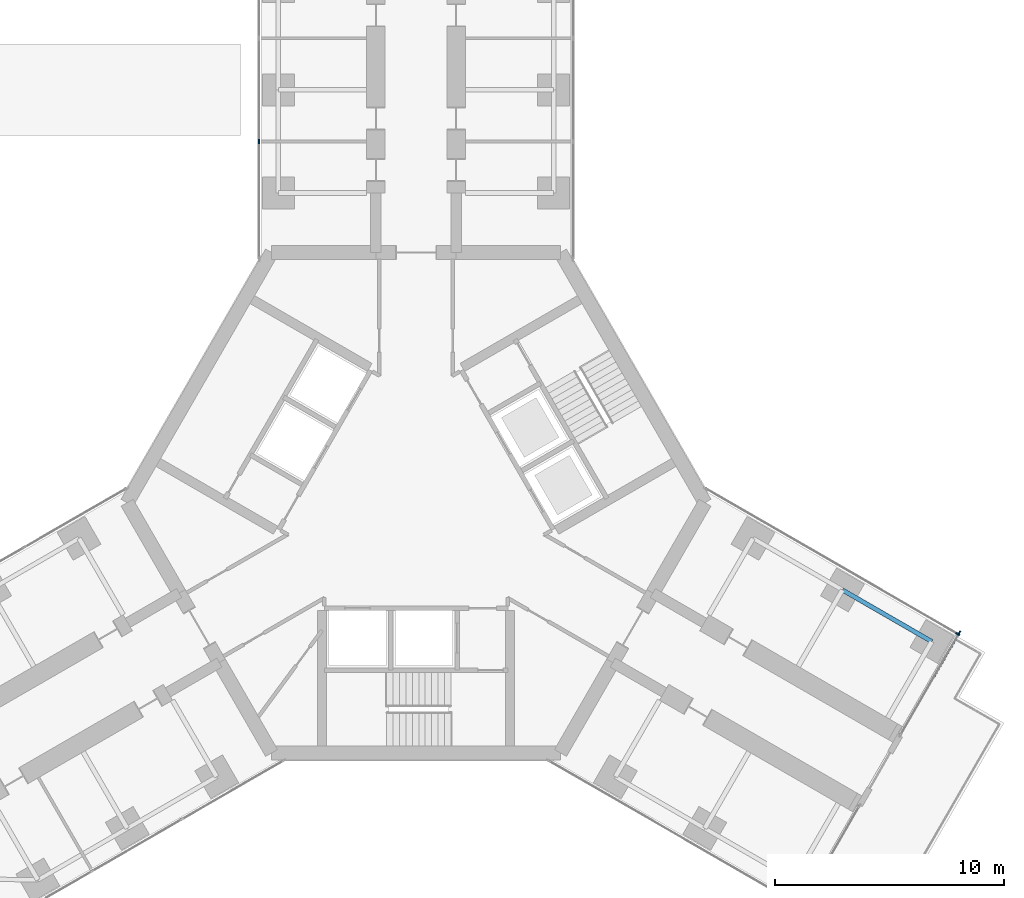
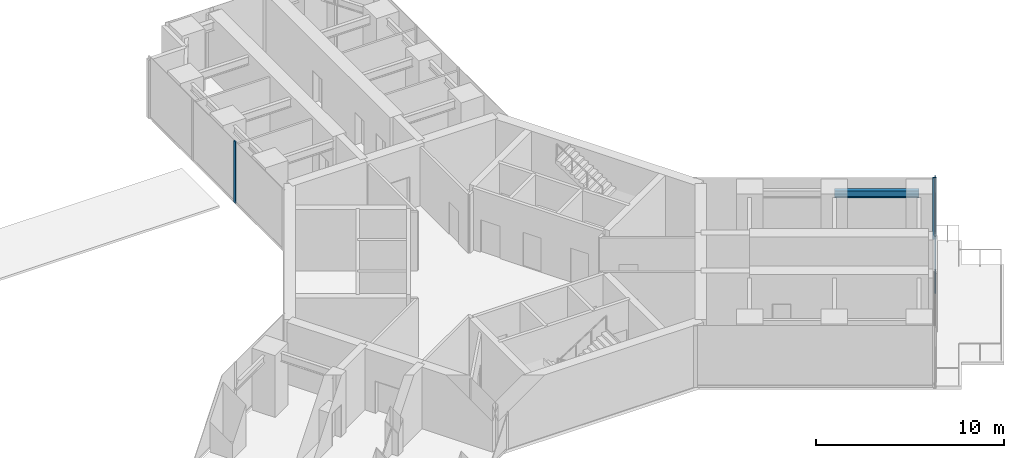
# One storey, part 11 of 22: 4 members, 1 beam, 3 elements without a shape of their own.
"""IFC4 building model written with IfcOpenShell, lengths in metres."""

from ifc_helpers import new_model, si_unit, direction, frame, origin, origin_2d, place, context, subcontext, project, spatial, rectangle, i_section, extrude, material, material_profile, profile_set, type_object, element, aggregate, save


model = new_model("IFC4")

# Units and contexts
model_context = context("Model", 3, precision=1e-05, world=origin(), true_north=direction((0.0, 1.0)))
body_context = subcontext(model_context, "Body", "Model", "MODEL_VIEW")
ifc_project = project(units=[si_unit("LENGTHUNIT", "METRE"), si_unit("AREAUNIT", "SQUARE_METRE"), si_unit("VOLUMEUNIT", "CUBIC_METRE"), si_unit("PLANEANGLEUNIT", "RADIAN"), si_unit("MASSUNIT", "GRAM", prefix="KILO")], contexts=[model_context])

# Site, building, storey
site_placement = place(None, origin())
site = spatial("IfcSite", under=ifc_project, at=site_placement, CompositionType="ELEMENT")
building_placement = place(site_placement, origin())
building = spatial("IfcBuilding", under=site, at=building_placement, Name="Upepo Twin Towers", CompositionType="ELEMENT")
storey_placement = place(building_placement, frame((0.0, 0.0, 97.5)))
storey = spatial("IfcBuildingStorey", under=building, at=storey_placement, Name="L23", CompositionType="ELEMENT", Elevation=97.5)

# Beam
ifc_material_1 = material(Name="Steel S355", Category="steel")
ifc_material_profile_1 = material_profile(ifc_material_1, i_section(OverallWidth=0.1904296875, OverallDepth=0.45703125, WebThickness=0.009033203125, FlangeThickness=0.014404296875, FilletRadius=0.01025390625, at=origin_2d()), Name="UB 457x191x74")
ifc_profile_set_1 = profile_set([ifc_material_profile_1], Name="Steel S355")
beam_type = type_object("IfcBeamType", Name="Beam UB 457x191x74", PredefinedType="BEAM", material=ifc_profile_set_1)
beam_placement = place(storey_placement, frame((77.08837890625, -21.803955078125, 3.571533203125), z_axis=(0.866031096941, -0.499990139034, 0.0), x_axis=(0.499990139034, 0.866031096941, 0.0)))
element("IfcBeam", 1, at=beam_placement, inside=storey, type_object=beam_type, Name="T2 edge beam CL 18.0-22.5", PredefinedType="BEAM", context=body_context, shape_type="SweptSolid", body=[
    extrude(i_section(OverallWidth=0.1904296875, OverallDepth=0.45703125, WebThickness=0.009033203125, FlangeThickness=0.014404296875, FilletRadius=0.01025390625, at=origin_2d()), origin(), (0.0, 0.0, 1.0), 4.5),
])

# Curtain wall, member
ifc_material_2 = material(Name="Aluminium and fritted glass", Category="aluminium")
curtain_wall_type = type_object("IfcCurtainWallType", Name="Tower curtain wall TW2, fritted glass", PredefinedType="NOTDEFINED", material=ifc_material_2)
curtain_wall_1_placement = place(storey_placement, origin())
curtain_wall_1 = element("IfcCurtainWall", 2, at=curtain_wall_1_placement, inside=storey, type_object=curtain_wall_type, Name="T2 L23 wing A flank L curtain wall", PredefinedType="NOTDEFINED")
ifc_material_3 = material(Name="Aluminium mullion", Category="aluminium")
ifc_material_profile_2 = material_profile(ifc_material_3, rectangle(XDim=0.06494140625, YDim=0.199951171875, at=origin_2d()), Name="MULLION 65x200")
ifc_profile_set_2 = profile_set([ifc_material_profile_2], Name="Aluminium mullion")
member_type_1 = type_object("IfcMemberType", Name="Mullion 65x200 TW2", PredefinedType="MULLION", material=ifc_profile_set_2)
member_1_placement = place(storey_placement, frame((51.64990234375, -2.25, 0.0), z_axis=(0.0, 0.0, 1.0), x_axis=(-1.0, 0.0, 0.0)))
member_1 = element("IfcMember", 3, at=member_1_placement, type_object=member_type_1, Name="T2 L23 wing A flank L curtain wall mullion 2", PredefinedType="MULLION", context=body_context, shape_type="SweptSolid", body=[
    extrude(rectangle(XDim=0.06494140625, YDim=0.199951171875, at=origin_2d()), origin(), (0.0, 0.0, 1.0), 4.0),
])
aggregate(curtain_wall_1, [member_1])

curtain_wall_2_placement = place(storey_placement, origin())
curtain_wall_2 = element("IfcCurtainWall", 4, at=curtain_wall_2_placement, inside=storey, type_object=curtain_wall_type, Name="T2 L23 wing C flank L curtain wall", PredefinedType="NOTDEFINED")
member_2_placement = place(storey_placement, frame((82.11865234375, -23.7265625, 0.0), z_axis=(0.0, 0.0, 1.0), x_axis=(0.50000000792, 0.866025399212, 0.0)))
member_2 = element("IfcMember", 5, at=member_2_placement, type_object=member_type_1, Name="T2 L23 wing C flank L curtain wall mullion 2", PredefinedType="MULLION", context=body_context, shape_type="SweptSolid", body=[
    extrude(rectangle(XDim=0.06494140625, YDim=0.199951171875, at=origin_2d()), origin(), (0.0, 0.0, 1.0), 4.0),
])
aggregate(curtain_wall_2, [member_2])

# Curtain wall, members
curtain_wall_3_placement = place(storey_placement, origin())
curtain_wall_3 = element("IfcCurtainWall", 6, at=curtain_wall_3_placement, inside=storey, type_object=curtain_wall_type, Name="T2 L23 wing C nose curtain wall 2", PredefinedType="NOTDEFINED")
member_3_placement = place(storey_placement, frame((82.180419921875, -23.684326171875, 0.0), z_axis=(0.0, 0.0, 1.0), x_axis=(-0.866025447069, 0.49999992503, 0.0)))
member_3 = element("IfcMember", 7, at=member_3_placement, type_object=member_type_1, Name="T2 L23 wing C nose curtain wall 2 mullion 2", PredefinedType="MULLION", context=body_context, shape_type="SweptSolid", body=[
    extrude(rectangle(XDim=0.06494140625, YDim=0.199951171875, at=origin_2d()), origin(), (0.0, 0.0, 1.0), 4.0),
])
ifc_material_4 = material(Name="Aluminium transom", Category="aluminium")
ifc_material_profile_3 = material_profile(ifc_material_4, rectangle(XDim=0.06494140625, YDim=0.14990234375, at=origin_2d()), Name="TRANSOM 65x150")
ifc_profile_set_3 = profile_set([ifc_material_profile_3], Name="Aluminium transom")
member_type_2 = type_object("IfcMemberType", Name="Transom 65x150 TW2", PredefinedType="USERDEFINED", material=ifc_profile_set_3)
member_4_placement = place(storey_placement, frame((79.629150390625, -28.103271484375, 0.074951171875), z_axis=(0.500012835235, 0.866017993231, 0.0), x_axis=(-0.866017993231, 0.500012835235, 0.0)))
member_4 = element("IfcMember", 8, at=member_4_placement, type_object=member_type_2, Name="T2 L23 wing C nose curtain wall 2 transom 1", ObjectType="TRANSOM", PredefinedType="USERDEFINED", context=body_context, shape_type="SweptSolid", body=[
    extrude(rectangle(XDim=0.06494140625, YDim=0.14990234375, at=origin_2d()), origin(), (0.0, 0.0, 1.0), 5.070068359375),
])
aggregate(curtain_wall_3, [member_3, member_4])

save(model, "model.ifc")
